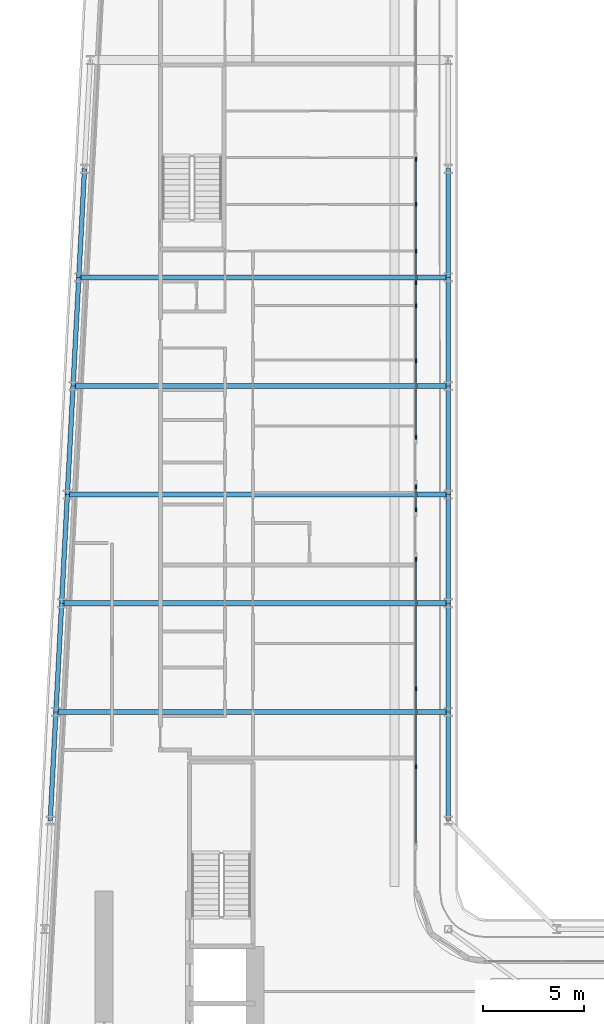
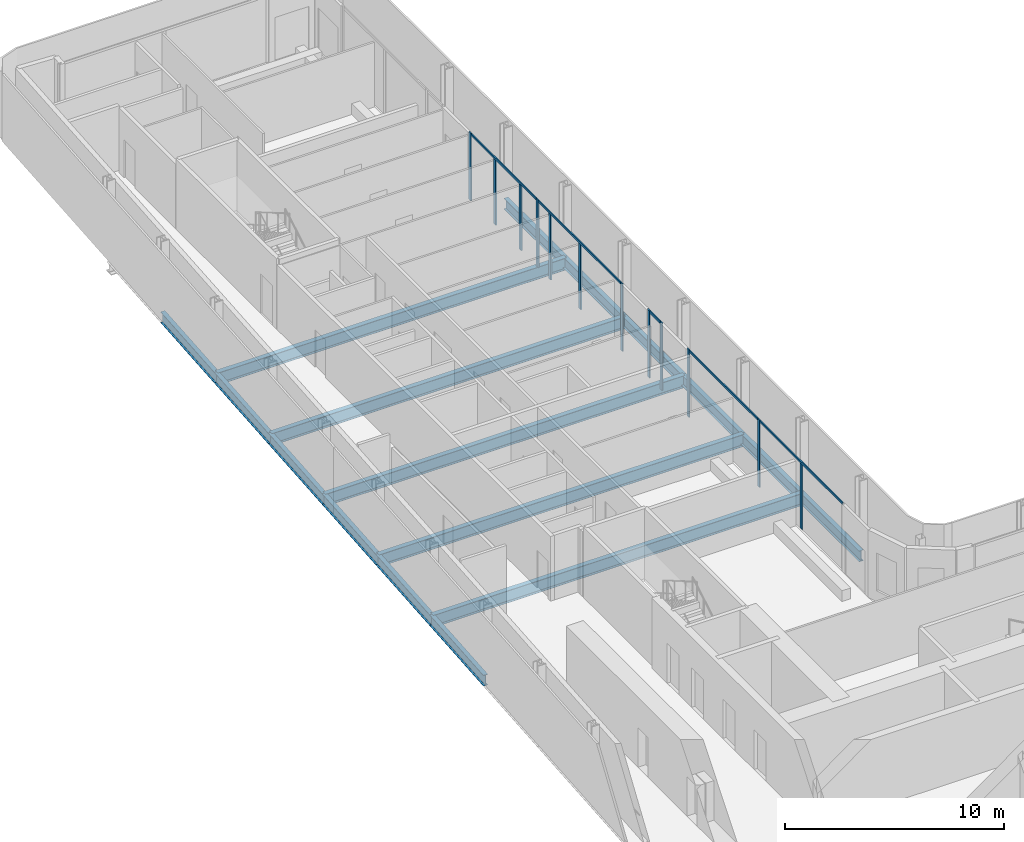
# One storey, part 7 of 28: 17 beams, 17 members, 5 elements without a shape of their own.
"""IFC4 building model written with IfcOpenShell, lengths in metres."""

from ifc_helpers import new_model, si_unit, direction, frame, origin, origin_2d, place, context, subcontext, project, spatial, rectangle, i_section, extrude, material, layer, layer_set, material_profile, profile_set, type_object, element, aggregate, save


model = new_model("IFC4")

# Units and contexts
model_context = context("Model", 3, precision=1e-05, world=origin(), true_north=direction((0.0, 1.0)))
body_context = subcontext(model_context, "Body", "Model", "MODEL_VIEW")
ifc_project = project(units=[si_unit("LENGTHUNIT", "METRE"), si_unit("AREAUNIT", "SQUARE_METRE"), si_unit("VOLUMEUNIT", "CUBIC_METRE"), si_unit("PLANEANGLEUNIT", "RADIAN"), si_unit("MASSUNIT", "GRAM", prefix="KILO")], contexts=[model_context])

# Site, building, storey
site_placement = place(None, origin())
site = spatial("IfcSite", under=ifc_project, at=site_placement, CompositionType="ELEMENT")
building_placement = place(site_placement, origin())
building = spatial("IfcBuilding", under=site, at=building_placement, Name="Kheshtan School and Residences Tower", CompositionType="ELEMENT")
storey_placement = place(building_placement, frame((0.0, 0.0, 125.300048828125)))
storey = spatial("IfcBuildingStorey", under=building, at=storey_placement, Name="L29", CompositionType="ELEMENT", Elevation=125.300048828125)

# Beams
ifc_material_1 = material(Name="Steel ASTM A992 Grade 50", Category="steel")
ifc_material_profile_1 = material_profile(ifc_material_1, i_section(OverallWidth=0.2529296875, OverallDepth=0.677978515625, WebThickness=0.01171875, FlangeThickness=0.016357421875, FilletRadius=0.0146484375, at=origin_2d()), Name="W690x125")
ifc_profile_set_1 = profile_set([ifc_material_profile_1], Name="Steel ASTM A992 Grade 50")
beam_type_1 = type_object("IfcBeamType", Name="Beam FB6 W690x125 ASTM A992 Grade 50", PredefinedType="BEAM", material=ifc_profile_set_1)
beam_1_placement = place(storey_placement, frame((47.60009765625, 78.0, -0.489013671875), z_axis=(-1.0, 0.0, 0.0), x_axis=(0.0, -1.0, 0.0)))
element("IfcBeam", 1, at=beam_1_placement, inside=storey, type_object=beam_type_1, Name="Floor beam C089", PredefinedType="BEAM", context=body_context, shape_type="SweptSolid", body=[
    extrude(i_section(OverallWidth=0.2529296875, OverallDepth=0.677978515625, WebThickness=0.01171875, FlangeThickness=0.016357421875, FilletRadius=0.0146484375, at=origin_2d()), origin(), (0.0, 0.0, 1.0), 18.357177734375),
])
beam_2_placement = place(storey_placement, frame((47.60009765625, 67.199951171875, -0.489013671875), z_axis=(-1.0, 0.0, 0.0), x_axis=(0.0, -1.0, 0.0)))
element("IfcBeam", 2, at=beam_2_placement, inside=storey, type_object=beam_type_1, Name="Floor beam C085", PredefinedType="BEAM", context=body_context, shape_type="SweptSolid", body=[
    extrude(i_section(OverallWidth=0.2529296875, OverallDepth=0.677978515625, WebThickness=0.01171875, FlangeThickness=0.016357421875, FilletRadius=0.0146484375, at=origin_2d()), origin(), (0.0, 0.0, 1.0), 18.926025390625),
])
beam_3_placement = place(storey_placement, frame((47.60009765625, 56.39990234375, -0.489013671875), z_axis=(-1.0, 0.0, 0.0), x_axis=(0.0, -1.0, 0.0)))
element("IfcBeam", 3, at=beam_3_placement, inside=storey, type_object=beam_type_1, Name="Floor beam C081", PredefinedType="BEAM", context=body_context, shape_type="SweptSolid", body=[
    extrude(i_section(OverallWidth=0.2529296875, OverallDepth=0.677978515625, WebThickness=0.01171875, FlangeThickness=0.016357421875, FilletRadius=0.0146484375, at=origin_2d()), origin(), (0.0, 0.0, 1.0), 19.494140625),
])
beam_4_placement = place(storey_placement, frame((28.389892578125, 61.800048828125, -0.489013671875), z_axis=(1.0, 0.0, 0.0), x_axis=(0.0, 1.0, 0.0)))
element("IfcBeam", 4, at=beam_4_placement, inside=storey, type_object=beam_type_1, Name="Floor beam C082", PredefinedType="BEAM", context=body_context, shape_type="SweptSolid", body=[
    extrude(i_section(OverallWidth=0.2529296875, OverallDepth=0.677978515625, WebThickness=0.01171875, FlangeThickness=0.016357421875, FilletRadius=0.0146484375, at=origin_2d()), origin(), (0.0, 0.0, 1.0), 19.210205078125),
])
beam_5_placement = place(storey_placement, frame((28.9580078125, 72.60009765625, -0.489013671875), z_axis=(1.0, 0.0, 0.0), x_axis=(0.0, 1.0, 0.0)))
element("IfcBeam", 5, at=beam_5_placement, inside=storey, type_object=beam_type_1, Name="Floor beam C086", PredefinedType="BEAM", context=body_context, shape_type="SweptSolid", body=[
    extrude(i_section(OverallWidth=0.2529296875, OverallDepth=0.677978515625, WebThickness=0.01171875, FlangeThickness=0.016357421875, FilletRadius=0.0146484375, at=origin_2d()), origin(), (0.0, 0.0, 1.0), 18.64208984375),
])
ifc_material_profile_2 = material_profile(ifc_material_1, i_section(OverallWidth=0.22802734375, OverallDepth=0.60302734375, WebThickness=0.010498046875, FlangeThickness=0.014892578125, FilletRadius=0.013427734375, at=origin_2d()), Name="W610x101")
ifc_profile_set_2 = profile_set([ifc_material_profile_2], Name="Steel ASTM A992 Grade 50")
beam_type_2 = type_object("IfcBeamType", Name="Beam SP2 W610x101 ASTM A992 Grade 50", PredefinedType="BEAM", material=ifc_profile_set_2)
for number, where, z_axis, x_axis, name in (
    (6, (47.60009765625, 83.39990234375, -0.45166015625), (0.0, -1.0, 0.0), (1.0, 0.0, 0.0), "Spandrel beam C091-C089"),
    (7, (47.60009765625, 78.0, -0.45166015625), (0.0, -1.0, 0.0), (1.0, 0.0, 0.0), "Spandrel beam C089-C087"),
):
    element("IfcBeam", number, at=place(storey_placement, frame(where, z_axis=z_axis, x_axis=x_axis)), inside=storey, type_object=beam_type_2, Name=name, PredefinedType="BEAM", context=body_context, shape_type="SweptSolid", body=[
        extrude(i_section(OverallWidth=0.22802734375, OverallDepth=0.60302734375, WebThickness=0.010498046875, FlangeThickness=0.014892578125, FilletRadius=0.013427734375, at=origin_2d()), origin(), (0.0, 0.0, 1.0), 5.39990234375),
    ])
beam_6_placement = place(storey_placement, frame((47.60009765625, 72.60009765625, -0.45166015625), z_axis=(0.0, -1.0, 0.0), x_axis=(1.0, 0.0, 0.0)))
element("IfcBeam", 8, at=beam_6_placement, inside=storey, type_object=beam_type_2, Name="Spandrel beam C087-C085", PredefinedType="BEAM", context=body_context, shape_type="SweptSolid", body=[
    extrude(i_section(OverallWidth=0.22802734375, OverallDepth=0.60302734375, WebThickness=0.010498046875, FlangeThickness=0.014892578125, FilletRadius=0.013427734375, at=origin_2d()), origin(), (0.0, 0.0, 1.0), 5.400146484375),
])
beam_7_placement = place(storey_placement, frame((47.60009765625, 67.199951171875, -0.45166015625), z_axis=(0.0, -1.0, 0.0), x_axis=(1.0, 0.0, 0.0)))
element("IfcBeam", 9, at=beam_7_placement, inside=storey, type_object=beam_type_2, Name="Spandrel beam C085-C083", PredefinedType="BEAM", context=body_context, shape_type="SweptSolid", body=[
    extrude(i_section(OverallWidth=0.22802734375, OverallDepth=0.60302734375, WebThickness=0.010498046875, FlangeThickness=0.014892578125, FilletRadius=0.013427734375, at=origin_2d()), origin(), (0.0, 0.0, 1.0), 5.39990234375),
])
beam_8_placement = place(storey_placement, frame((47.60009765625, 61.800048828125, -0.45166015625), z_axis=(0.0, -1.0, 0.0), x_axis=(1.0, 0.0, 0.0)))
element("IfcBeam", 10, at=beam_8_placement, inside=storey, type_object=beam_type_2, Name="Spandrel beam C083-C081", PredefinedType="BEAM", context=body_context, shape_type="SweptSolid", body=[
    extrude(i_section(OverallWidth=0.22802734375, OverallDepth=0.60302734375, WebThickness=0.010498046875, FlangeThickness=0.014892578125, FilletRadius=0.013427734375, at=origin_2d()), origin(), (0.0, 0.0, 1.0), 5.400146484375),
])
beam_9_placement = place(storey_placement, frame((47.60009765625, 56.39990234375, -0.45166015625), z_axis=(0.0, -1.0, 0.0), x_axis=(1.0, 0.0, 0.0)))
element("IfcBeam", 11, at=beam_9_placement, inside=storey, type_object=beam_type_2, Name="Spandrel beam C081-C079", PredefinedType="BEAM", context=body_context, shape_type="SweptSolid", body=[
    extrude(i_section(OverallWidth=0.22802734375, OverallDepth=0.60302734375, WebThickness=0.010498046875, FlangeThickness=0.014892578125, FilletRadius=0.013427734375, at=origin_2d()), origin(), (0.0, 0.0, 1.0), 5.39990234375),
])
beam_10_placement = place(storey_placement, frame((27.822021484375, 51.0, -0.45166015625), z_axis=(0.05250906864, 0.998620447272, 0.0), x_axis=(-0.998620447272, 0.05250906864, 0.0)))
element("IfcBeam", 12, at=beam_10_placement, inside=storey, type_object=beam_type_2, Name="Spandrel beam C078-C080", PredefinedType="BEAM", context=body_context, shape_type="SweptSolid", body=[
    extrude(i_section(OverallWidth=0.22802734375, OverallDepth=0.60302734375, WebThickness=0.010498046875, FlangeThickness=0.014892578125, FilletRadius=0.013427734375, at=origin_2d()), origin(), (0.0, 0.0, 1.0), 5.407470703125),
])
beam_11_placement = place(storey_placement, frame((28.10595703125, 56.39990234375, -0.45166015625), z_axis=(0.05250670125, 0.998620571751, 0.0), x_axis=(-0.998620571751, 0.05250670125, 0.0)))
element("IfcBeam", 13, at=beam_11_placement, inside=storey, type_object=beam_type_2, Name="Spandrel beam C080-C082", PredefinedType="BEAM", context=body_context, shape_type="SweptSolid", body=[
    extrude(i_section(OverallWidth=0.22802734375, OverallDepth=0.60302734375, WebThickness=0.010498046875, FlangeThickness=0.014892578125, FilletRadius=0.013427734375, at=origin_2d()), origin(), (0.0, 0.0, 1.0), 5.40771484375),
])
beam_12_placement = place(storey_placement, frame((28.389892578125, 61.800048828125, -0.45166015625), z_axis=(0.052554093665, 0.998618078766, 0.0), x_axis=(-0.998618078766, 0.052554093665, 0.0)))
element("IfcBeam", 14, at=beam_12_placement, inside=storey, type_object=beam_type_2, Name="Spandrel beam C082-C084", PredefinedType="BEAM", context=body_context, shape_type="SweptSolid", body=[
    extrude(i_section(OverallWidth=0.22802734375, OverallDepth=0.60302734375, WebThickness=0.010498046875, FlangeThickness=0.014892578125, FilletRadius=0.013427734375, at=origin_2d()), origin(), (0.0, 0.0, 1.0), 5.407470703125),
])
beam_13_placement = place(storey_placement, frame((28.674072265625, 67.199951171875, -0.45166015625), z_axis=(0.05250670125, 0.998620571751, 0.0), x_axis=(-0.998620571751, 0.05250670125, 0.0)))
element("IfcBeam", 15, at=beam_13_placement, inside=storey, type_object=beam_type_2, Name="Spandrel beam C084-C086", PredefinedType="BEAM", context=body_context, shape_type="SweptSolid", body=[
    extrude(i_section(OverallWidth=0.22802734375, OverallDepth=0.60302734375, WebThickness=0.010498046875, FlangeThickness=0.014892578125, FilletRadius=0.013427734375, at=origin_2d()), origin(), (0.0, 0.0, 1.0), 5.40771484375),
])
for number, where, z_axis, x_axis, name in (
    (16, (28.9580078125, 72.60009765625, -0.45166015625), (0.052689166816, 0.998610961136, 0.0), (-0.998610961136, 0.052689166816, 0.0), "Spandrel beam C086-C088"),
    (17, (29.242919921875, 78.0, -0.45166015625), (0.052554093665, 0.998618078766, 0.0), (-0.998618078766, 0.052554093665, 0.0), "Spandrel beam C088-C090"),
):
    element("IfcBeam", number, at=place(storey_placement, frame(where, z_axis=z_axis, x_axis=x_axis)), inside=storey, type_object=beam_type_2, Name=name, PredefinedType="BEAM", context=body_context, shape_type="SweptSolid", body=[
        extrude(i_section(OverallWidth=0.22802734375, OverallDepth=0.60302734375, WebThickness=0.010498046875, FlangeThickness=0.014892578125, FilletRadius=0.013427734375, at=origin_2d()), origin(), (0.0, 0.0, 1.0), 5.407470703125),
    ])

# Curtain wall, members
ifc_material_2 = material(Name="Clear low-e glass in thermally broken aluminium frame", Category="aluminium")
ifc_layer = layer(ifc_material_2, 0.199951171875)
ifc_layer_set = layer_set([ifc_layer], Name="Curtain wall CW-L")
curtain_wall_type = type_object("IfcCurtainWallType", Name="Curtain wall CW-L", PredefinedType="NOTDEFINED", material=ifc_layer_set)
curtain_wall_1_placement = place(storey_placement, origin())
curtain_wall_1 = element("IfcCurtainWall", 18, at=curtain_wall_1_placement, inside=storey, type_object=curtain_wall_type, Name="Curtain wall CWL8b", PredefinedType="NOTDEFINED")
ifc_material_3 = material(Name="Thermally broken aluminium, dark bronze anodised", Category="aluminium")
ifc_material_profile_3 = material_profile(ifc_material_3, rectangle(XDim=0.06005859375, YDim=0.199951171875, at=origin_2d()), Name="CW-L mullion 60x200")
ifc_profile_set_3 = profile_set([ifc_material_profile_3], Name="Thermally broken aluminium, dark bronze anodised")
member_type_1 = type_object("IfcMemberType", Name="CW-L mullion 60x200", PredefinedType="MULLION", material=ifc_profile_set_3)
member_1_placement = place(storey_placement, frame((46.0, 83.8759765625, 0.0), z_axis=(0.0, 0.0, 1.0), x_axis=(1.0, 0.0, 0.0)))
member_1 = element("IfcMember", 19, at=member_1_placement, type_object=member_type_1, Name="CWL8b mullion 1", PredefinedType="MULLION", context=body_context, shape_type="SweptSolid", body=[
    extrude(rectangle(XDim=0.06005859375, YDim=0.199951171875, at=origin_2d()), origin(), (0.0, 0.0, 1.0), 3.75),
])
member_2_placement = place(storey_placement, frame((46.0, 81.625, 0.0), z_axis=(0.0, 0.0, 1.0), x_axis=(1.0, 0.0, 0.0)))
member_2 = element("IfcMember", 20, at=member_2_placement, type_object=member_type_1, Name="CWL8b mullion 2", PredefinedType="MULLION", context=body_context, shape_type="SweptSolid", body=[
    extrude(rectangle(XDim=0.06005859375, YDim=0.199951171875, at=origin_2d()), origin(), (0.0, 0.0, 1.0), 3.6298828125),
])
member_3_placement = place(storey_placement, frame((46.0, 79.300048828125, 0.0), z_axis=(0.0, 0.0, 1.0), x_axis=(1.0, 0.0, 0.0)))
member_3 = element("IfcMember", 21, at=member_3_placement, type_object=member_type_1, Name="CWL8b mullion 3", PredefinedType="MULLION", context=body_context, shape_type="SweptSolid", body=[
    extrude(rectangle(XDim=0.06005859375, YDim=0.199951171875, at=origin_2d()), origin(), (0.0, 0.0, 1.0), 3.6298828125),
])
member_4_placement = place(storey_placement, frame((46.0, 77.741943359375, 0.0), z_axis=(0.0, 0.0, 1.0), x_axis=(1.0, 0.0, 0.0)))
member_4 = element("IfcMember", 22, at=member_4_placement, type_object=member_type_1, Name="CWL8b mullion 4", PredefinedType="MULLION", context=body_context, shape_type="SweptSolid", body=[
    extrude(rectangle(XDim=0.06005859375, YDim=0.199951171875, at=origin_2d()), origin(), (0.0, 0.0, 1.0), 3.75),
])

curtain_wall_2_placement = place(storey_placement, origin())
curtain_wall_2 = element("IfcCurtainWall", 23, at=curtain_wall_2_placement, inside=storey, type_object=curtain_wall_type, Name="Curtain wall CWL8c", PredefinedType="NOTDEFINED")
member_5_placement = place(storey_placement, frame((46.0, 76.60009765625, 0.0), z_axis=(0.0, 0.0, 1.0), x_axis=(1.0, 0.0, 0.0)))
member_5 = element("IfcMember", 24, at=member_5_placement, type_object=member_type_1, Name="CWL8c mullion 2", PredefinedType="MULLION", context=body_context, shape_type="SweptSolid", body=[
    extrude(rectangle(XDim=0.06005859375, YDim=0.199951171875, at=origin_2d()), origin(), (0.0, 0.0, 1.0), 3.6298828125),
])
member_6_placement = place(storey_placement, frame((46.0, 73.864990234375, 0.0), z_axis=(0.0, 0.0, 1.0), x_axis=(1.0, 0.0, 0.0)))
member_6 = element("IfcMember", 25, at=member_6_placement, type_object=member_type_1, Name="CWL8c mullion 3", PredefinedType="MULLION", context=body_context, shape_type="SweptSolid", body=[
    extrude(rectangle(XDim=0.06005859375, YDim=0.199951171875, at=origin_2d()), origin(), (0.0, 0.0, 1.0), 3.6298828125),
])
member_7_placement = place(storey_placement, frame((46.0, 70.048095703125, 0.0), z_axis=(0.0, 0.0, 1.0), x_axis=(1.0, 0.0, 0.0)))
member_7 = element("IfcMember", 26, at=member_7_placement, type_object=member_type_1, Name="CWL8c mullion 4", PredefinedType="MULLION", context=body_context, shape_type="SweptSolid", body=[
    extrude(rectangle(XDim=0.06005859375, YDim=0.199951171875, at=origin_2d()), origin(), (0.0, 0.0, 1.0), 3.75),
])

curtain_wall_3_placement = place(storey_placement, origin())
curtain_wall_3 = element("IfcCurtainWall", 27, at=curtain_wall_3_placement, inside=storey, type_object=curtain_wall_type, Name="Curtain wall CWL8g", PredefinedType="NOTDEFINED")
member_8_placement = place(storey_placement, frame((46.0, 67.587890625, 0.0), z_axis=(0.0, 0.0, 1.0), x_axis=(1.0, 0.0, 0.0)))
member_8 = element("IfcMember", 28, at=member_8_placement, type_object=member_type_1, Name="CWL8g mullion 1", PredefinedType="MULLION", context=body_context, shape_type="SweptSolid", body=[
    extrude(rectangle(XDim=0.06005859375, YDim=0.199951171875, at=origin_2d()), origin(), (0.0, 0.0, 1.0), 3.75),
])
member_9_placement = place(storey_placement, frame((46.0, 66.447998046875, 0.0), z_axis=(0.0, 0.0, 1.0), x_axis=(1.0, 0.0, 0.0)))
member_9 = element("IfcMember", 29, at=member_9_placement, type_object=member_type_1, Name="CWL8g mullion 2", PredefinedType="MULLION", context=body_context, shape_type="SweptSolid", body=[
    extrude(rectangle(XDim=0.06005859375, YDim=0.199951171875, at=origin_2d()), origin(), (0.0, 0.0, 1.0), 3.75),
])

curtain_wall_4_placement = place(storey_placement, origin())
curtain_wall_4 = element("IfcCurtainWall", 30, at=curtain_wall_4_placement, inside=storey, type_object=curtain_wall_type, Name="Curtain wall CWL8h", PredefinedType="NOTDEFINED")
member_10_placement = place(storey_placement, frame((46.0, 63.988037109375, 0.0), z_axis=(0.0, 0.0, 1.0), x_axis=(1.0, 0.0, 0.0)))
member_10 = element("IfcMember", 31, at=member_10_placement, type_object=member_type_1, Name="CWL8h mullion 1", PredefinedType="MULLION", context=body_context, shape_type="SweptSolid", body=[
    extrude(rectangle(XDim=0.06005859375, YDim=0.199951171875, at=origin_2d()), origin(), (0.0, 0.0, 1.0), 3.75),
])
member_11_placement = place(storey_placement, frame((46.0, 57.553955078125, 0.0), z_axis=(0.0, 0.0, 1.0), x_axis=(1.0, 0.0, 0.0)))
member_11 = element("IfcMember", 32, at=member_11_placement, type_object=member_type_1, Name="CWL8h mullion 2", PredefinedType="MULLION", context=body_context, shape_type="SweptSolid", body=[
    extrude(rectangle(XDim=0.06005859375, YDim=0.199951171875, at=origin_2d()), origin(), (0.0, 0.0, 1.0), 3.75),
])

# Curtain wall, member
curtain_wall_5_placement = place(storey_placement, origin())
curtain_wall_5 = element("IfcCurtainWall", 33, at=curtain_wall_5_placement, inside=storey, type_object=curtain_wall_type, Name="Curtain wall CWL8", PredefinedType="NOTDEFINED")
member_12_placement = place(storey_placement, frame((46.0, 53.677001953125, 0.0), z_axis=(0.0, 0.0, 1.0), x_axis=(1.0, 0.0, 0.0)))
member_12 = element("IfcMember", 34, at=member_12_placement, type_object=member_type_1, Name="CWL8 mullion 2", PredefinedType="MULLION", context=body_context, shape_type="SweptSolid", body=[
    extrude(rectangle(XDim=0.06005859375, YDim=0.199951171875, at=origin_2d()), origin(), (0.0, 0.0, 1.0), 3.6298828125),
])

# Member
ifc_material_profile_4 = material_profile(ifc_material_3, rectangle(XDim=0.06005859375, YDim=0.1201171875, at=origin_2d()), Name="CW-L transom 60x120")
ifc_profile_set_4 = profile_set([ifc_material_profile_4], Name="Thermally broken aluminium, dark bronze anodised")
member_type_2 = type_object("IfcMemberType", Name="CW-L transom 60x120", PredefinedType="USERDEFINED", material=ifc_profile_set_4)
member_13_placement = place(storey_placement, frame((46.0, 83.845947265625, 3.68994140625), z_axis=(0.0, -1.0, 0.0), x_axis=(1.0, 0.0, 0.0)))
member_13 = element("IfcMember", 35, at=member_13_placement, type_object=member_type_2, Name="CWL8b transom 1", ObjectType="TRANSOM", PredefinedType="USERDEFINED", context=body_context, shape_type="SweptSolid", body=[
    extrude(rectangle(XDim=0.06005859375, YDim=0.1201171875, at=origin_2d()), origin(), (0.0, 0.0, 1.0), 6.073974609375),
])

aggregate(curtain_wall_1, [member_1, member_2, member_3, member_4, member_13])

member_14_placement = place(storey_placement, frame((46.0, 77.7119140625, 3.68994140625), z_axis=(0.0, -1.0, 0.0), x_axis=(1.0, 0.0, 0.0)))
member_14 = element("IfcMember", 36, at=member_14_placement, type_object=member_type_2, Name="CWL8c transom 1", ObjectType="TRANSOM", PredefinedType="USERDEFINED", context=body_context, shape_type="SweptSolid", body=[
    extrude(rectangle(XDim=0.06005859375, YDim=0.1201171875, at=origin_2d()), origin(), (0.0, 0.0, 1.0), 7.634033203125),
])

aggregate(curtain_wall_2, [member_5, member_6, member_7, member_14])

member_15_placement = place(storey_placement, frame((46.0, 67.55810546875, 3.68994140625), z_axis=(0.0, -1.0, 0.0), x_axis=(1.0, 0.0, 0.0)))
member_15 = element("IfcMember", 37, at=member_15_placement, type_object=member_type_2, Name="CWL8g transom 1", ObjectType="TRANSOM", PredefinedType="USERDEFINED", context=body_context, shape_type="SweptSolid", body=[
    extrude(rectangle(XDim=0.06005859375, YDim=0.1201171875, at=origin_2d()), origin(), (0.0, 0.0, 1.0), 1.080078125),
])

aggregate(curtain_wall_3, [member_8, member_9, member_15])

member_16_placement = place(storey_placement, frame((46.0, 63.9580078125, 3.68994140625), z_axis=(0.0, -1.0, 0.0), x_axis=(1.0, 0.0, 0.0)))
member_16 = element("IfcMember", 38, at=member_16_placement, type_object=member_type_2, Name="CWL8h transom 1", ObjectType="TRANSOM", PredefinedType="USERDEFINED", context=body_context, shape_type="SweptSolid", body=[
    extrude(rectangle(XDim=0.06005859375, YDim=0.1201171875, at=origin_2d()), origin(), (0.0, 0.0, 1.0), 6.3740234375),
])

aggregate(curtain_wall_4, [member_10, member_11, member_16])

member_17_placement = place(storey_placement, frame((46.0, 57.52392578125, 3.68994140625), z_axis=(0.0, -1.0, 0.0), x_axis=(1.0, 0.0, 0.0)))
member_17 = element("IfcMember", 39, at=member_17_placement, type_object=member_type_2, Name="CWL8 transom 1", ObjectType="TRANSOM", PredefinedType="USERDEFINED", context=body_context, shape_type="SweptSolid", body=[
    extrude(rectangle(XDim=0.06005859375, YDim=0.1201171875, at=origin_2d()), origin(), (0.0, 0.0, 1.0), 7.634033203125),
])

aggregate(curtain_wall_5, [member_12, member_17])

save(model, "model.ifc")
